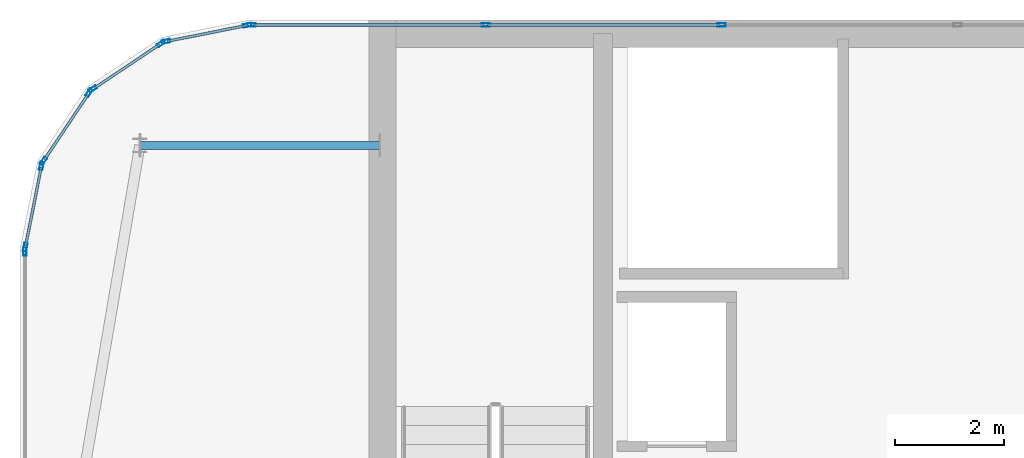
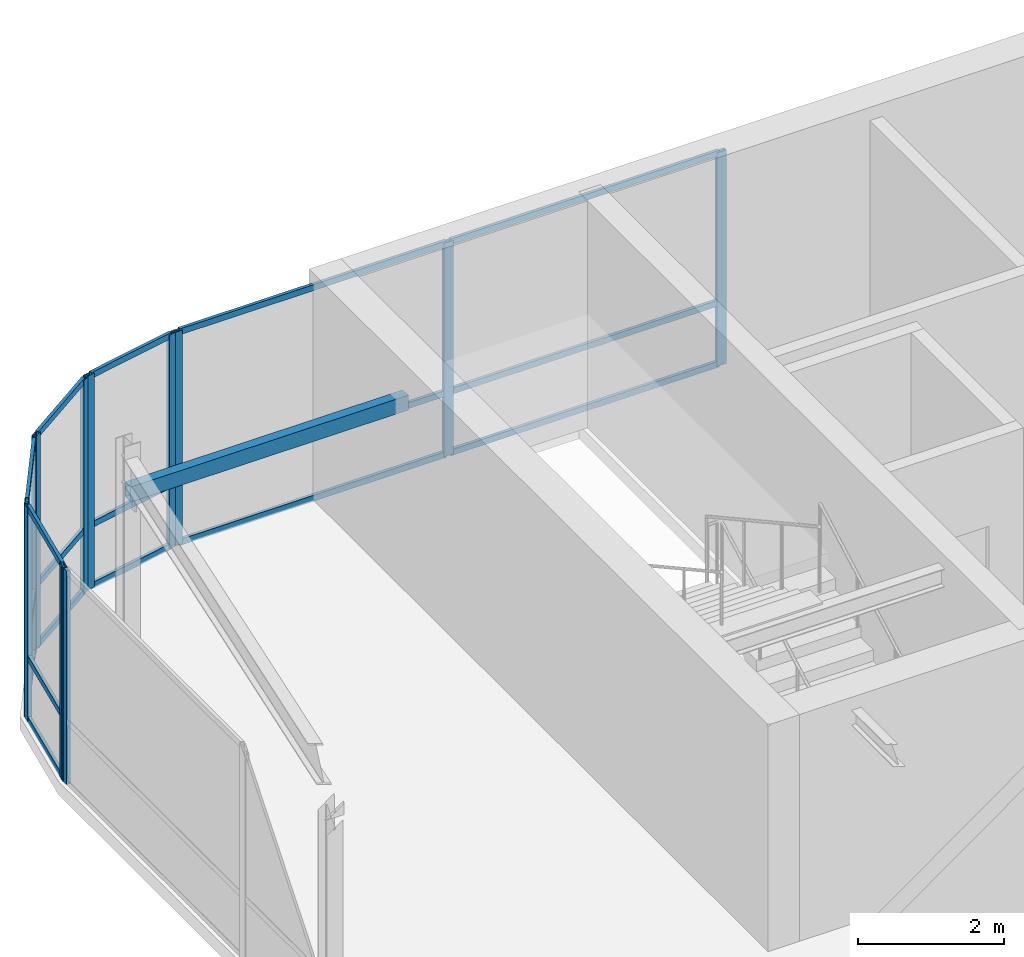
# One storey, part 26 of 36: 31 members, 6 elements without a shape of their own.
"""IFC4 building model written with IfcOpenShell, lengths in metres."""

from ifc_helpers import new_model, si_unit, direction, frame, origin, origin_2d, place, context, subcontext, project, spatial, hollow_rectangle, extrude, source, transform, mapped, material, layer, layer_set, material_profile, profile_set, type_object, type_shapes, element, aggregate, save


model = new_model("IFC4")

# Units and contexts
model_context = context("Model", 3, precision=1e-05, world=origin(), true_north=direction((0.0, 1.0)))
body_context = subcontext(model_context, "Body", "Model", "MODEL_VIEW")
ifc_project = project(units=[si_unit("LENGTHUNIT", "METRE"), si_unit("AREAUNIT", "SQUARE_METRE"), si_unit("VOLUMEUNIT", "CUBIC_METRE"), si_unit("PLANEANGLEUNIT", "RADIAN"), si_unit("MASSUNIT", "GRAM", prefix="KILO")], contexts=[model_context])

# Site, building, storey
site_placement = place(None, origin())
site = spatial("IfcSite", under=ifc_project, at=site_placement, CompositionType="ELEMENT")
building_placement = place(site_placement, origin())
building = spatial("IfcBuilding", under=site, at=building_placement, Name="Tolvann Quenvar Hotel", CompositionType="ELEMENT")
storey_placement = place(building_placement, frame((0.0, 0.0, 302.35009765625)))
storey = spatial("IfcBuildingStorey", under=building, at=storey_placement, Name="L80", CompositionType="ELEMENT", Elevation=302.35009765625)

# Member
ifc_material_1 = material(Name="Steel Grade 450 (C450L0)", Category="steel")
ifc_material_profile_1 = material_profile(ifc_material_1, hollow_rectangle(XDim=0.14990234375, YDim=0.25, WallThickness=0.009033203125, at=origin_2d()), Name="250x150x9RHS")
ifc_profile_set_1 = profile_set([ifc_material_profile_1], Name="Steel Grade 450 (C450L0)")
member_type_1 = type_object("IfcMemberType", Name="MEM_CROWN_250RHS", PredefinedType="USERDEFINED", material=ifc_profile_set_1)
shared_shape_1 = source(origin(), body_context, "Body", "SweptSolid", [
    extrude(hollow_rectangle(XDim=0.14990234375, YDim=0.25, WallThickness=0.009033203125, at=origin_2d()), origin(), (0.0, 0.0, 1.0), 4.39990234375),
])
type_shapes(member_type_1, [shared_shape_1])
member_1_placement = place(storey_placement, frame((5.800048828125, 41.89990234375, 2.929931640625), z_axis=(1.0, 0.0, 0.0), x_axis=(0.0, 1.0, 0.0)))
element("IfcMember", 1, at=member_1_placement, inside=storey, type_object=member_type_1, Name="Crown Frame Ring Member (L80-4)", ObjectType="CROWN FRAME", PredefinedType="USERDEFINED", context=body_context, shape_type="MappedRepresentation", body=[
    mapped(shared_shape_1, transform((0.0, 0.0, 0.0), x_axis=(1.0, 0.0, 0.0), y_axis=(0.0, 1.0, 0.0), z_axis=(0.0, 0.0, 1.0), scale=1.0)),
])

# Curtain wall, members
ifc_material_2 = material(Name="Thermally broken anodised architectural aluminium 6063-T6 and laminated low-E glass", Category="aluminium")
ifc_layer = layer(ifc_material_2, 0.179931640625)
ifc_layer_set = layer_set([ifc_layer], Name="Thermally broken anodised architectural aluminium 6063-T6 and laminated low-E glass")
curtain_wall_type = type_object("IfcCurtainWallType", Name="CW_SYS_LANT_06", PredefinedType="USERDEFINED", material=ifc_layer_set)
curtain_wall_1_placement = place(storey_placement, origin())
curtain_wall_1 = element("IfcCurtainWall", 2, at=curtain_wall_1_placement, inside=storey, type_object=curtain_wall_type, Name="Curtain Wall CW-LANT-06 (CWR-L80-E16)", ObjectType="UNITISED CURTAIN WALL", PredefinedType="USERDEFINED")
ifc_material_3 = material(Name="Anodised architectural aluminium 6063-T6 framing", Category="aluminium")
ifc_material_profile_2 = material_profile(ifc_material_3, hollow_rectangle(XDim=0.050048828125, YDim=0.10009765625, WallThickness=0.0029296875, at=origin_2d()), Name="100x50x3RHS")
ifc_profile_set_2 = profile_set([ifc_material_profile_2], Name="Anodised architectural aluminium 6063-T6 framing")
member_type_2 = type_object("IfcMemberType", Name="CW_TRAN_100x50", PredefinedType="USERDEFINED", material=ifc_profile_set_2)
shared_shape_2 = source(origin(), body_context, "Body", "SweptSolid", [
    extrude(hollow_rectangle(XDim=0.050048828125, YDim=0.10009765625, WallThickness=0.0029296875, at=origin_2d()), origin(), (0.0, 0.0, 1.0), 1.439208984375),
])
member_2_placement = place(storey_placement, frame((6.15966796875, 43.75, 0.02490234375), z_axis=(-0.831449510818, -0.555600315839, 0.0), x_axis=(0.555600315839, -0.831449510818, 0.0)))
member_2 = element("IfcMember", 3, at=member_2_placement, type_object=member_type_2, Name="CW-LANT-06 transom 1.1", ObjectType="TRANSOM", PredefinedType="USERDEFINED", context=body_context, shape_type="MappedRepresentation", body=[
    mapped(shared_shape_2, transform((0.0, 0.0, 0.0), x_axis=(1.0, 0.0, 0.0), y_axis=(0.0, 1.0, 0.0), z_axis=(0.0, 0.0, 1.0), scale=1.0)),
])
member_3_placement = place(storey_placement, frame((6.15966796875, 43.75, 1.0498046875), z_axis=(-0.831449510818, -0.555600315839, 0.0), x_axis=(0.555600315839, -0.831449510818, 0.0)))
member_3 = element("IfcMember", 4, at=member_3_placement, type_object=member_type_2, Name="CW-LANT-06 transom 1.2", ObjectType="TRANSOM", PredefinedType="USERDEFINED", context=body_context, shape_type="MappedRepresentation", body=[
    mapped(shared_shape_2, transform((0.0, 0.0, 0.0), x_axis=(1.0, 0.0, 0.0), y_axis=(0.0, 1.0, 0.0), z_axis=(0.0, 0.0, 1.0), scale=1.0)),
])
member_4_placement = place(storey_placement, frame((6.15966796875, 43.75, 3.554931640625), z_axis=(-0.831449510818, -0.555600315839, 0.0), x_axis=(0.555600315839, -0.831449510818, 0.0)))
member_4 = element("IfcMember", 5, at=member_4_placement, type_object=member_type_2, Name="CW-LANT-06 transom 1.3", ObjectType="TRANSOM", PredefinedType="USERDEFINED", context=body_context, shape_type="MappedRepresentation", body=[
    mapped(shared_shape_2, transform((0.0, 0.0, 0.0), x_axis=(1.0, 0.0, 0.0), y_axis=(0.0, 1.0, 0.0), z_axis=(0.0, 0.0, 1.0), scale=1.0)),
])

curtain_wall_2_placement = place(storey_placement, origin())
curtain_wall_2 = element("IfcCurtainWall", 6, at=curtain_wall_2_placement, inside=storey, type_object=curtain_wall_type, Name="Curtain Wall CW-LANT-06 (CWR-L80-E17)", ObjectType="UNITISED CURTAIN WALL", PredefinedType="USERDEFINED")
member_5_placement = place(storey_placement, frame((4.849609375, 42.836669921875, 0.02490234375), z_axis=(-0.555717578985, -0.831371139989, 0.0), x_axis=(0.831371139989, -0.555717578985, 0.0)))
member_5 = element("IfcMember", 7, at=member_5_placement, type_object=member_type_2, Name="CW-LANT-06 transom 1.1", ObjectType="TRANSOM", PredefinedType="USERDEFINED", context=body_context, shape_type="MappedRepresentation", body=[
    mapped(shared_shape_2, transform((0.0, 0.0, 0.0), x_axis=(1.0, 0.0, 0.0), y_axis=(0.0, 1.0, 0.0), z_axis=(0.0, 0.0, 1.0), scale=1.0)),
])
member_6_placement = place(storey_placement, frame((4.849609375, 42.836669921875, 1.0498046875), z_axis=(-0.555717578985, -0.831371139989, 0.0), x_axis=(0.831371139989, -0.555717578985, 0.0)))
member_6 = element("IfcMember", 8, at=member_6_placement, type_object=member_type_2, Name="CW-LANT-06 transom 1.2", ObjectType="TRANSOM", PredefinedType="USERDEFINED", context=body_context, shape_type="MappedRepresentation", body=[
    mapped(shared_shape_2, transform((0.0, 0.0, 0.0), x_axis=(1.0, 0.0, 0.0), y_axis=(0.0, 1.0, 0.0), z_axis=(0.0, 0.0, 1.0), scale=1.0)),
])
member_7_placement = place(storey_placement, frame((4.849609375, 42.836669921875, 3.554931640625), z_axis=(-0.555717578985, -0.831371139989, 0.0), x_axis=(0.831371139989, -0.555717578985, 0.0)))
member_7 = element("IfcMember", 9, at=member_7_placement, type_object=member_type_2, Name="CW-LANT-06 transom 1.3", ObjectType="TRANSOM", PredefinedType="USERDEFINED", context=body_context, shape_type="MappedRepresentation", body=[
    mapped(shared_shape_2, transform((0.0, 0.0, 0.0), x_axis=(1.0, 0.0, 0.0), y_axis=(0.0, 1.0, 0.0), z_axis=(0.0, 0.0, 1.0), scale=1.0)),
])

curtain_wall_3_placement = place(storey_placement, origin())
curtain_wall_3 = element("IfcCurtainWall", 10, at=curtain_wall_3_placement, inside=storey, type_object=curtain_wall_type, Name="Curtain Wall CW-LANT-06 (CWR-L80-E15)", ObjectType="UNITISED CURTAIN WALL", PredefinedType="USERDEFINED")
shared_shape_3 = source(origin(), body_context, "Body", "SweptSolid", [
    extrude(hollow_rectangle(XDim=0.050048828125, YDim=0.10009765625, WallThickness=0.0029296875, at=origin_2d()), origin(), (0.0, 0.0, 1.0), 1.456787109375),
])
member_8_placement = place(storey_placement, frame((7.73681640625, 44.095703125, 0.02490234375), z_axis=(-0.980786408364, -0.195084651288, 0.0), x_axis=(0.195084651288, -0.980786408364, 0.0)))
member_8 = element("IfcMember", 11, at=member_8_placement, type_object=member_type_2, Name="CW-LANT-06 transom 1.1", ObjectType="TRANSOM", PredefinedType="USERDEFINED", context=body_context, shape_type="MappedRepresentation", body=[
    mapped(shared_shape_3, transform((0.0, 0.0, 0.0), x_axis=(1.0, 0.0, 0.0), y_axis=(0.0, 1.0, 0.0), z_axis=(0.0, 0.0, 1.0), scale=1.0)),
])
member_9_placement = place(storey_placement, frame((7.73681640625, 44.095703125, 1.0498046875), z_axis=(-0.980786408364, -0.195084651288, 0.0), x_axis=(0.195084651288, -0.980786408364, 0.0)))
member_9 = element("IfcMember", 12, at=member_9_placement, type_object=member_type_2, Name="CW-LANT-06 transom 1.2", ObjectType="TRANSOM", PredefinedType="USERDEFINED", context=body_context, shape_type="MappedRepresentation", body=[
    mapped(shared_shape_3, transform((0.0, 0.0, 0.0), x_axis=(1.0, 0.0, 0.0), y_axis=(0.0, 1.0, 0.0), z_axis=(0.0, 0.0, 1.0), scale=1.0)),
])
member_10_placement = place(storey_placement, frame((7.73681640625, 44.095703125, 3.554931640625), z_axis=(-0.980786408364, -0.195084651288, 0.0), x_axis=(0.195084651288, -0.980786408364, 0.0)))
member_10 = element("IfcMember", 13, at=member_10_placement, type_object=member_type_2, Name="CW-LANT-06 transom 1.3", ObjectType="TRANSOM", PredefinedType="USERDEFINED", context=body_context, shape_type="MappedRepresentation", body=[
    mapped(shared_shape_3, transform((0.0, 0.0, 0.0), x_axis=(1.0, 0.0, 0.0), y_axis=(0.0, 1.0, 0.0), z_axis=(0.0, 0.0, 1.0), scale=1.0)),
])

curtain_wall_4_placement = place(storey_placement, origin())
curtain_wall_4 = element("IfcCurtainWall", 14, at=curtain_wall_4_placement, inside=storey, type_object=curtain_wall_type, Name="Curtain Wall CW-LANT-06 (CWR-L80-E18)", ObjectType="UNITISED CURTAIN WALL", PredefinedType="USERDEFINED")
member_11_placement = place(storey_placement, frame((3.988525390625, 41.491943359375, 0.02490234375), z_axis=(-0.195084651288, -0.980786408364, 0.0), x_axis=(0.980786408364, -0.195084651288, 0.0)))
member_11 = element("IfcMember", 15, at=member_11_placement, type_object=member_type_2, Name="CW-LANT-06 transom 1.1", ObjectType="TRANSOM", PredefinedType="USERDEFINED", context=body_context, shape_type="MappedRepresentation", body=[
    mapped(shared_shape_3, transform((0.0, 0.0, 0.0), x_axis=(1.0, 0.0, 0.0), y_axis=(0.0, 1.0, 0.0), z_axis=(0.0, 0.0, 1.0), scale=1.0)),
])
member_12_placement = place(storey_placement, frame((3.988525390625, 41.491943359375, 1.0498046875), z_axis=(-0.195084651288, -0.980786408364, 0.0), x_axis=(0.980786408364, -0.195084651288, 0.0)))
member_12 = element("IfcMember", 16, at=member_12_placement, type_object=member_type_2, Name="CW-LANT-06 transom 1.2", ObjectType="TRANSOM", PredefinedType="USERDEFINED", context=body_context, shape_type="MappedRepresentation", body=[
    mapped(shared_shape_3, transform((0.0, 0.0, 0.0), x_axis=(1.0, 0.0, 0.0), y_axis=(0.0, 1.0, 0.0), z_axis=(0.0, 0.0, 1.0), scale=1.0)),
])
member_13_placement = place(storey_placement, frame((3.988525390625, 41.491943359375, 3.554931640625), z_axis=(-0.195084651288, -0.980786408364, 0.0), x_axis=(0.980786408364, -0.195084651288, 0.0)))
member_13 = element("IfcMember", 17, at=member_13_placement, type_object=member_type_2, Name="CW-LANT-06 transom 1.3", ObjectType="TRANSOM", PredefinedType="USERDEFINED", context=body_context, shape_type="MappedRepresentation", body=[
    mapped(shared_shape_3, transform((0.0, 0.0, 0.0), x_axis=(1.0, 0.0, 0.0), y_axis=(0.0, 1.0, 0.0), z_axis=(0.0, 0.0, 1.0), scale=1.0)),
])

curtain_wall_5_placement = place(storey_placement, origin())
curtain_wall_5 = element("IfcCurtainWall", 18, at=curtain_wall_5_placement, inside=storey, type_object=curtain_wall_type, Name="Curtain Wall CW-LANT-06 (CWR-L80-E14)", ObjectType="UNITISED CURTAIN WALL", PredefinedType="USERDEFINED")
shared_shape_4 = source(origin(), body_context, "Body", "SweptSolid", [
    extrude(hollow_rectangle(XDim=0.050048828125, YDim=0.10009765625, WallThickness=0.0029296875, at=origin_2d()), origin(), (0.0, 0.0, 1.0), 4.230224609375),
])
member_14_placement = place(storey_placement, frame((12.1123046875, 44.110107421875, 0.02490234375), z_axis=(-1.0, 0.0, 0.0), x_axis=(0.0, -1.0, 0.0)))
member_14 = element("IfcMember", 19, at=member_14_placement, type_object=member_type_2, Name="CW-LANT-06 transom 6.1", ObjectType="TRANSOM", PredefinedType="USERDEFINED", context=body_context, shape_type="MappedRepresentation", body=[
    mapped(shared_shape_4, transform((0.0, 0.0, 0.0), x_axis=(1.0, 0.0, 0.0), y_axis=(0.0, 1.0, 0.0), z_axis=(0.0, 0.0, 1.0), scale=1.0)),
])
member_15_placement = place(storey_placement, frame((12.1123046875, 44.110107421875, 1.0498046875), z_axis=(-1.0, 0.0, 0.0), x_axis=(0.0, -1.0, 0.0)))
member_15 = element("IfcMember", 20, at=member_15_placement, type_object=member_type_2, Name="CW-LANT-06 transom 6.2", ObjectType="TRANSOM", PredefinedType="USERDEFINED", context=body_context, shape_type="MappedRepresentation", body=[
    mapped(shared_shape_4, transform((0.0, 0.0, 0.0), x_axis=(1.0, 0.0, 0.0), y_axis=(0.0, 1.0, 0.0), z_axis=(0.0, 0.0, 1.0), scale=1.0)),
])
member_16_placement = place(storey_placement, frame((12.1123046875, 44.110107421875, 3.554931640625), z_axis=(-1.0, 0.0, 0.0), x_axis=(0.0, -1.0, 0.0)))
member_16 = element("IfcMember", 21, at=member_16_placement, type_object=member_type_2, Name="CW-LANT-06 transom 6.3", ObjectType="TRANSOM", PredefinedType="USERDEFINED", context=body_context, shape_type="MappedRepresentation", body=[
    mapped(shared_shape_4, transform((0.0, 0.0, 0.0), x_axis=(1.0, 0.0, 0.0), y_axis=(0.0, 1.0, 0.0), z_axis=(0.0, 0.0, 1.0), scale=1.0)),
])
shared_shape_5 = source(origin(), body_context, "Body", "SweptSolid", [
    extrude(hollow_rectangle(XDim=0.050048828125, YDim=0.10009765625, WallThickness=0.0029296875, at=origin_2d()), origin(), (0.0, 0.0, 1.0), 4.2626953125),
])
type_shapes(member_type_2, [shared_shape_2, shared_shape_3, shared_shape_4, shared_shape_5])
member_17_placement = place(storey_placement, frame((16.43994140625, 44.110107421875, 0.02490234375), z_axis=(-1.0, 0.0, 0.0), x_axis=(0.0, -1.0, 0.0)))
member_17 = element("IfcMember", 22, at=member_17_placement, type_object=member_type_2, Name="CW-LANT-06 transom 5.1", ObjectType="TRANSOM", PredefinedType="USERDEFINED", context=body_context, shape_type="MappedRepresentation", body=[
    mapped(shared_shape_5, transform((0.0, 0.0, 0.0), x_axis=(1.0, 0.0, 0.0), y_axis=(0.0, 1.0, 0.0), z_axis=(0.0, 0.0, 1.0), scale=1.0)),
])
member_18_placement = place(storey_placement, frame((16.43994140625, 44.110107421875, 1.0498046875), z_axis=(-1.0, 0.0, 0.0), x_axis=(0.0, -1.0, 0.0)))
member_18 = element("IfcMember", 23, at=member_18_placement, type_object=member_type_2, Name="CW-LANT-06 transom 5.2", ObjectType="TRANSOM", PredefinedType="USERDEFINED", context=body_context, shape_type="MappedRepresentation", body=[
    mapped(shared_shape_5, transform((0.0, 0.0, 0.0), x_axis=(1.0, 0.0, 0.0), y_axis=(0.0, 1.0, 0.0), z_axis=(0.0, 0.0, 1.0), scale=1.0)),
])
member_19_placement = place(storey_placement, frame((16.43994140625, 44.110107421875, 3.554931640625), z_axis=(-1.0, 0.0, 0.0), x_axis=(0.0, -1.0, 0.0)))
member_19 = element("IfcMember", 24, at=member_19_placement, type_object=member_type_2, Name="CW-LANT-06 transom 5.3", ObjectType="TRANSOM", PredefinedType="USERDEFINED", context=body_context, shape_type="MappedRepresentation", body=[
    mapped(shared_shape_5, transform((0.0, 0.0, 0.0), x_axis=(1.0, 0.0, 0.0), y_axis=(0.0, 1.0, 0.0), z_axis=(0.0, 0.0, 1.0), scale=1.0)),
])
ifc_material_profile_3 = material_profile(ifc_material_3, hollow_rectangle(XDim=0.06494140625, YDim=0.14990234375, WallThickness=0.00390625, at=origin_2d()), Name="150x65x4RHS")
ifc_profile_set_3 = profile_set([ifc_material_profile_3], Name="Anodised architectural aluminium 6063-T6 framing")
member_type_3 = type_object("IfcMemberType", Name="CW_MULL_150x65", PredefinedType="MULLION", material=ifc_profile_set_3)
shared_shape_6 = source(origin(), body_context, "Body", "SweptSolid", [
    extrude(hollow_rectangle(XDim=0.06494140625, YDim=0.14990234375, WallThickness=0.00390625, at=origin_2d()), origin(), (0.0, 0.0, 1.0), 3.579833984375),
])
type_shapes(member_type_3, [shared_shape_6])
member_20_placement = place(storey_placement, frame((16.472412109375, 44.110107421875, 0.0), z_axis=(0.0, 0.0, 1.0), x_axis=(0.0, -1.0, 0.0)))
member_20 = element("IfcMember", 25, at=member_20_placement, type_object=member_type_3, Name="CW-LANT-06 mullion 5", PredefinedType="MULLION", context=body_context, shape_type="MappedRepresentation", body=[
    mapped(shared_shape_6, transform((0.0, 0.0, 0.0), x_axis=(1.0, 0.0, 0.0), y_axis=(0.0, 1.0, 0.0), z_axis=(0.0, 0.0, 1.0), scale=1.0)),
])
member_21_placement = place(storey_placement, frame((12.144775390625, 44.110107421875, 0.0), z_axis=(0.0, 0.0, 1.0), x_axis=(0.0, -1.0, 0.0)))
member_21 = element("IfcMember", 26, at=member_21_placement, type_object=member_type_3, Name="CW-LANT-06 mullion 6", PredefinedType="MULLION", context=body_context, shape_type="MappedRepresentation", body=[
    mapped(shared_shape_6, transform((0.0, 0.0, 0.0), x_axis=(1.0, 0.0, 0.0), y_axis=(0.0, 1.0, 0.0), z_axis=(0.0, 0.0, 1.0), scale=1.0)),
])
member_22_placement = place(storey_placement, frame((7.849609375, 44.110107421875, 0.0), z_axis=(0.0, 0.0, 1.0), x_axis=(0.0, -1.0, 0.0)))
member_22 = element("IfcMember", 27, at=member_22_placement, type_object=member_type_3, Name="CW-LANT-06 mullion 7", PredefinedType="MULLION", context=body_context, shape_type="MappedRepresentation", body=[
    mapped(shared_shape_6, transform((0.0, 0.0, 0.0), x_axis=(1.0, 0.0, 0.0), y_axis=(0.0, 1.0, 0.0), z_axis=(0.0, 0.0, 1.0), scale=1.0)),
])
aggregate(curtain_wall_5, [member_20, member_21, member_22, member_17, member_18, member_19, member_14, member_15, member_16])

# Member
member_23_placement = place(storey_placement, frame((7.768798828125, 44.10205078125, 0.0), z_axis=(0.0, 0.0, 1.0), x_axis=(0.195061569369, -0.980790999222, 0.0)))
member_23 = element("IfcMember", 28, at=member_23_placement, type_object=member_type_3, Name="CW-LANT-06 mullion 1", PredefinedType="MULLION", context=body_context, shape_type="MappedRepresentation", body=[
    mapped(shared_shape_6, transform((0.0, 0.0, 0.0), x_axis=(1.0, 0.0, 0.0), y_axis=(0.0, 1.0, 0.0), z_axis=(0.0, 0.0, 1.0), scale=1.0)),
])

member_24_placement = place(storey_placement, frame((6.2763671875, 43.80517578125, 0.0), z_axis=(0.0, 0.0, 1.0), x_axis=(0.195061569369, -0.980790999222, 0.0)))
member_24 = element("IfcMember", 29, at=member_24_placement, type_object=member_type_3, Name="CW-LANT-06 mullion 2", PredefinedType="MULLION", context=body_context, shape_type="MappedRepresentation", body=[
    mapped(shared_shape_6, transform((0.0, 0.0, 0.0), x_axis=(1.0, 0.0, 0.0), y_axis=(0.0, 1.0, 0.0), z_axis=(0.0, 0.0, 1.0), scale=1.0)),
])

aggregate(curtain_wall_3, [member_23, member_24, member_8, member_9, member_10])

member_25_placement = place(storey_placement, frame((6.186767578125, 43.76806640625, 0.0), z_axis=(0.0, 0.0, 1.0), x_axis=(0.555655769644, -0.831412452193, 0.0)))
member_25 = element("IfcMember", 30, at=member_25_placement, type_object=member_type_3, Name="CW-LANT-06 mullion 1", PredefinedType="MULLION", context=body_context, shape_type="MappedRepresentation", body=[
    mapped(shared_shape_6, transform((0.0, 0.0, 0.0), x_axis=(1.0, 0.0, 0.0), y_axis=(0.0, 1.0, 0.0), z_axis=(0.0, 0.0, 1.0), scale=1.0)),
])

member_26_placement = place(storey_placement, frame((4.936279296875, 42.932373046875, 0.0), z_axis=(0.0, 0.0, 1.0), x_axis=(0.555655769644, -0.831412452193, 0.0)))
member_26 = element("IfcMember", 31, at=member_26_placement, type_object=member_type_3, Name="CW-LANT-06 mullion 2", PredefinedType="MULLION", context=body_context, shape_type="MappedRepresentation", body=[
    mapped(shared_shape_6, transform((0.0, 0.0, 0.0), x_axis=(1.0, 0.0, 0.0), y_axis=(0.0, 1.0, 0.0), z_axis=(0.0, 0.0, 1.0), scale=1.0)),
])

aggregate(curtain_wall_1, [member_25, member_26, member_2, member_3, member_4])

member_27_placement = place(storey_placement, frame((4.86767578125, 42.86376953125, 0.0), z_axis=(0.0, 0.0, 1.0), x_axis=(0.831412452193, -0.555655769644, 0.0)))
member_27 = element("IfcMember", 32, at=member_27_placement, type_object=member_type_3, Name="CW-LANT-06 mullion 1", PredefinedType="MULLION", context=body_context, shape_type="MappedRepresentation", body=[
    mapped(shared_shape_6, transform((0.0, 0.0, 0.0), x_axis=(1.0, 0.0, 0.0), y_axis=(0.0, 1.0, 0.0), z_axis=(0.0, 0.0, 1.0), scale=1.0)),
])

member_28_placement = place(storey_placement, frame((4.03173828125, 41.61328125, 0.0), z_axis=(0.0, 0.0, 1.0), x_axis=(0.831412452193, -0.555655769644, 0.0)))
member_28 = element("IfcMember", 33, at=member_28_placement, type_object=member_type_3, Name="CW-LANT-06 mullion 2", PredefinedType="MULLION", context=body_context, shape_type="MappedRepresentation", body=[
    mapped(shared_shape_6, transform((0.0, 0.0, 0.0), x_axis=(1.0, 0.0, 0.0), y_axis=(0.0, 1.0, 0.0), z_axis=(0.0, 0.0, 1.0), scale=1.0)),
])

aggregate(curtain_wall_2, [member_27, member_28, member_5, member_6, member_7])

member_29_placement = place(storey_placement, frame((3.994873046875, 41.523681640625, 0.0), z_axis=(0.0, 0.0, 1.0), x_axis=(0.980790999222, -0.195061569369, 0.0)))
member_29 = element("IfcMember", 34, at=member_29_placement, type_object=member_type_3, Name="CW-LANT-06 mullion 1", PredefinedType="MULLION", context=body_context, shape_type="MappedRepresentation", body=[
    mapped(shared_shape_6, transform((0.0, 0.0, 0.0), x_axis=(1.0, 0.0, 0.0), y_axis=(0.0, 1.0, 0.0), z_axis=(0.0, 0.0, 1.0), scale=1.0)),
])

member_30_placement = place(storey_placement, frame((3.697998046875, 40.03125, 0.0), z_axis=(0.0, 0.0, 1.0), x_axis=(0.980790999222, -0.195061569369, 0.0)))
member_30 = element("IfcMember", 35, at=member_30_placement, type_object=member_type_3, Name="CW-LANT-06 mullion 2", PredefinedType="MULLION", context=body_context, shape_type="MappedRepresentation", body=[
    mapped(shared_shape_6, transform((0.0, 0.0, 0.0), x_axis=(1.0, 0.0, 0.0), y_axis=(0.0, 1.0, 0.0), z_axis=(0.0, 0.0, 1.0), scale=1.0)),
])

aggregate(curtain_wall_4, [member_29, member_30, member_11, member_12, member_13])

# Curtain wall, member
curtain_wall_6_placement = place(storey_placement, origin())
curtain_wall_6 = element("IfcCurtainWall", 36, at=curtain_wall_6_placement, inside=storey, type_object=curtain_wall_type, Name="Curtain Wall CW-LANT-06 (CWR-L80-E19)", ObjectType="UNITISED CURTAIN WALL", PredefinedType="USERDEFINED")
member_31_placement = place(storey_placement, frame((3.68994140625, 39.9501953125, 0.0), z_axis=(0.0, 0.0, 1.0), x_axis=(1.0, 0.0, 0.0)))
member_31 = element("IfcMember", 37, at=member_31_placement, type_object=member_type_3, Name="CW-LANT-06 mullion 1", PredefinedType="MULLION", context=body_context, shape_type="MappedRepresentation", body=[
    mapped(shared_shape_6, transform((0.0, 0.0, 0.0), x_axis=(1.0, 0.0, 0.0), y_axis=(0.0, 1.0, 0.0), z_axis=(0.0, 0.0, 1.0), scale=1.0)),
])
aggregate(curtain_wall_6, [member_31])

save(model, "model.ifc")
